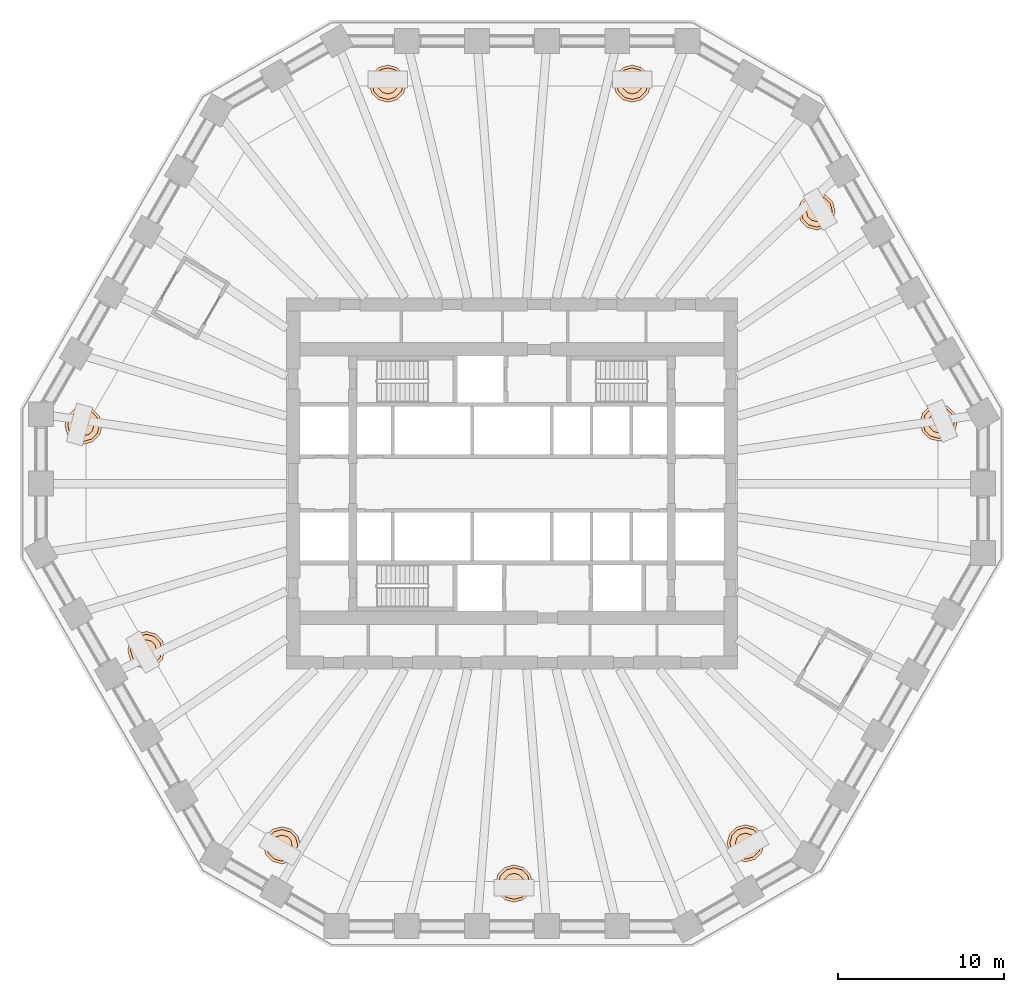
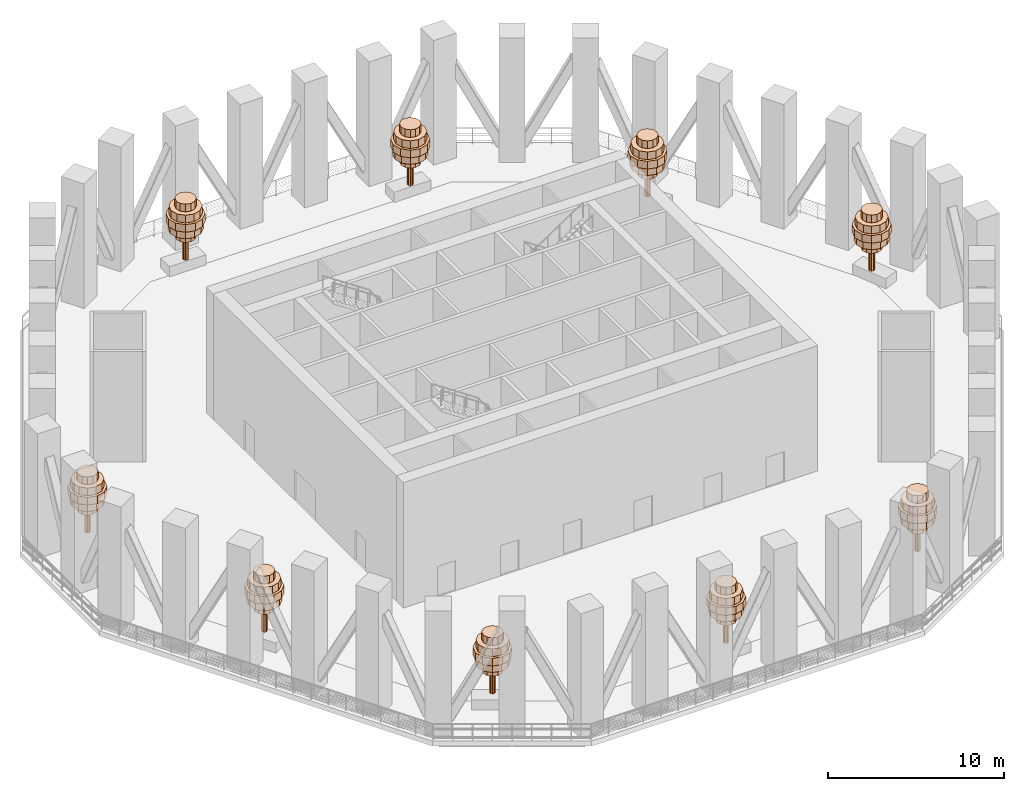
# One storey, part 10 of 10: 9 geographic elements.
"""IFC4 building model written with IfcOpenShell, lengths in metres."""

from ifc_helpers import new_model, si_unit, direction, frame, origin, place, context, subcontext, project, spatial, polyline, outline, extrude, material, type_object, element, save


model = new_model("IFC4")

# Units and contexts
model_context = context("Model", 3, precision=1e-05, world=origin(), true_north=direction((0.0, 1.0)))
body_context = subcontext(model_context, "Body", "Model", "MODEL_VIEW")
ifc_project = project(units=[si_unit("LENGTHUNIT", "METRE"), si_unit("AREAUNIT", "SQUARE_METRE"), si_unit("VOLUMEUNIT", "CUBIC_METRE"), si_unit("PLANEANGLEUNIT", "RADIAN"), si_unit("MASSUNIT", "GRAM", prefix="KILO")], contexts=[model_context])

# Site, building, storey
site_placement = place(None, origin())
site = spatial("IfcSite", under=ifc_project, at=site_placement, CompositionType="ELEMENT")
building_placement = place(site_placement, origin())
building = spatial("IfcBuilding", under=site, at=building_placement, Name="Frailejon Research Tower", CompositionType="ELEMENT")
storey_placement = place(building_placement, frame((0.0, 0.0, 71.800048828125)))
storey = spatial("IfcBuildingStorey", under=building, at=storey_placement, Name="L16", CompositionType="ELEMENT", Elevation=71.800048828125)

# Geographic elements
ifc_material = material(Name="Foliage, green")
geographic_element_type = type_object("IfcGeographicElementType", Name="Frailejon tree, terrace", PredefinedType="USERDEFINED", material=ifc_material)
geographic_element_1_placement = place(storey_placement, frame((25.73828125, 3.682373046875, 0.699951171875)))
element("IfcGeographicElement", 1, at=geographic_element_1_placement, inside=storey, type_object=geographic_element_type, Name="Tree L16", ObjectType="TREE", PredefinedType="USERDEFINED", context=body_context, shape_type="SweptSolid", body=[
    extrude(outline(polyline([(0.177978515625, 0.0), (0.154052734375, 0.089111328125), (0.089111328125, 0.154052734375), (0.0, 0.177978515625), (-0.089111328125, 0.154052734375), (-0.154052734375, 0.089111328125), (-0.177978515625, 0.0), (-0.154052734375, -0.089111328125), (-0.089111328125, -0.154052734375), (0.0, -0.177978515625), (0.089111328125, -0.154052734375), (0.154052734375, -0.089111328125), (0.177978515625, 0.0)])), origin(), (0.0, 0.0, 1.0), 3.135986328125),
    extrude(outline(polyline([(0.615966796875, 0.0), (0.533447265625, 0.30810546875), (0.30810546875, 0.533447265625), (0.0, 0.615966796875), (-0.30810546875, 0.533447265625), (-0.533447265625, 0.30810546875), (-0.615966796875, 0.0), (-0.533447265625, -0.30810546875), (-0.30810546875, -0.533447265625), (0.0, -0.615966796875), (0.30810546875, -0.533447265625), (0.533447265625, -0.30810546875), (0.615966796875, 0.0)])), frame((0.0, 0.0, 1.5400390625)), (0.0, 0.0, 1.0), 0.531982421875),
    extrude(outline(polyline([(1.008056640625, 0.0), (0.873046875, 0.50390625), (0.50390625, 0.873046875), (0.0, 1.008056640625), (-0.50390625, 0.873046875), (-0.873046875, 0.50390625), (-1.008056640625, 0.0), (-0.873046875, -0.50390625), (-0.50390625, -0.873046875), (0.0, -1.008056640625), (0.50390625, -0.873046875), (0.873046875, -0.50390625), (1.008056640625, 0.0)])), frame((0.0, 0.0, 2.072021484375)), (0.0, 0.0, 1.0), 0.531982421875),
    extrude(outline(polyline([(1.1201171875, 0.0), (0.969970703125, 0.56005859375), (0.56005859375, 0.969970703125), (0.0, 1.1201171875), (-0.56005859375, 0.969970703125), (-0.969970703125, 0.56005859375), (-1.1201171875, 0.0), (-0.969970703125, -0.56005859375), (-0.56005859375, -0.969970703125), (0.0, -1.1201171875), (0.56005859375, -0.969970703125), (0.969970703125, -0.56005859375), (1.1201171875, 0.0)])), frame((0.0, 0.0, 2.60400390625)), (0.0, 0.0, 1.0), 0.531982421875),
    extrude(outline(polyline([(0.951904296875, 0.0), (0.824462890625, 0.47607421875), (0.47607421875, 0.824462890625), (0.0, 0.951904296875), (-0.47607421875, 0.824462890625), (-0.824462890625, 0.47607421875), (-0.951904296875, 0.0), (-0.824462890625, -0.47607421875), (-0.47607421875, -0.824462890625), (0.0, -0.951904296875), (0.47607421875, -0.824462890625), (0.824462890625, -0.47607421875), (0.951904296875, 0.0)])), frame((0.0, 0.0, 3.135986328125)), (0.0, 0.0, 1.0), 0.531982421875),
    extrude(outline(polyline([(0.615966796875, 0.0), (0.533447265625, 0.30810546875), (0.30810546875, 0.533447265625), (0.0, 0.615966796875), (-0.30810546875, 0.533447265625), (-0.533447265625, 0.30810546875), (-0.615966796875, 0.0), (-0.533447265625, -0.30810546875), (-0.30810546875, -0.533447265625), (0.0, -0.615966796875), (0.30810546875, -0.533447265625), (0.533447265625, -0.30810546875), (0.615966796875, 0.0)])), frame((0.0, 0.0, 3.66796875)), (0.0, 0.0, 1.0), 0.531982421875),
])
geographic_element_2_placement = place(storey_placement, frame((18.37646484375, 16.4296875, 0.699951171875)))
element("IfcGeographicElement", 2, at=geographic_element_2_placement, inside=storey, type_object=geographic_element_type, Name="Tree L16", ObjectType="TREE", PredefinedType="USERDEFINED", context=body_context, shape_type="SweptSolid", body=[
    extrude(outline(polyline([(0.177978515625, 0.0), (0.154052734375, 0.089111328125), (0.089111328125, 0.154052734375), (0.0, 0.177978515625), (-0.089111328125, 0.154052734375), (-0.154052734375, 0.089111328125), (-0.177978515625, 0.0), (-0.154052734375, -0.089111328125), (-0.089111328125, -0.154052734375), (0.0, -0.177978515625), (0.089111328125, -0.154052734375), (0.154052734375, -0.089111328125), (0.177978515625, 0.0)])), origin(), (0.0, 0.0, 1.0), 3.135986328125),
    extrude(outline(polyline([(0.615966796875, 0.0), (0.533447265625, 0.30810546875), (0.30810546875, 0.533447265625), (0.0, 0.615966796875), (-0.30810546875, 0.533447265625), (-0.533447265625, 0.30810546875), (-0.615966796875, 0.0), (-0.533447265625, -0.30810546875), (-0.30810546875, -0.533447265625), (0.0, -0.615966796875), (0.30810546875, -0.533447265625), (0.533447265625, -0.30810546875), (0.615966796875, 0.0)])), frame((0.0, 0.0, 1.5400390625)), (0.0, 0.0, 1.0), 0.531982421875),
    extrude(outline(polyline([(1.008056640625, 0.0), (0.873046875, 0.50390625), (0.50390625, 0.873046875), (0.0, 1.008056640625), (-0.50390625, 0.873046875), (-0.873046875, 0.50390625), (-1.008056640625, 0.0), (-0.873046875, -0.50390625), (-0.50390625, -0.873046875), (0.0, -1.008056640625), (0.50390625, -0.873046875), (0.873046875, -0.50390625), (1.008056640625, 0.0)])), frame((0.0, 0.0, 2.072021484375)), (0.0, 0.0, 1.0), 0.531982421875),
    extrude(outline(polyline([(1.1201171875, 0.0), (0.969970703125, 0.56005859375), (0.56005859375, 0.969970703125), (0.0, 1.1201171875), (-0.56005859375, 0.969970703125), (-0.969970703125, 0.56005859375), (-1.1201171875, 0.0), (-0.969970703125, -0.56005859375), (-0.56005859375, -0.969970703125), (0.0, -1.1201171875), (0.56005859375, -0.969970703125), (0.969970703125, -0.56005859375), (1.1201171875, 0.0)])), frame((0.0, 0.0, 2.60400390625)), (0.0, 0.0, 1.0), 0.531982421875),
    extrude(outline(polyline([(0.951904296875, 0.0), (0.824462890625, 0.47607421875), (0.47607421875, 0.824462890625), (0.0, 0.951904296875), (-0.47607421875, 0.824462890625), (-0.824462890625, 0.47607421875), (-0.951904296875, 0.0), (-0.824462890625, -0.47607421875), (-0.47607421875, -0.824462890625), (0.0, -0.951904296875), (0.47607421875, -0.824462890625), (0.824462890625, -0.47607421875), (0.951904296875, 0.0)])), frame((0.0, 0.0, 3.135986328125)), (0.0, 0.0, 1.0), 0.531982421875),
    extrude(outline(polyline([(0.615966796875, 0.0), (0.533447265625, 0.30810546875), (0.30810546875, 0.533447265625), (0.0, 0.615966796875), (-0.30810546875, 0.533447265625), (-0.533447265625, 0.30810546875), (-0.615966796875, 0.0), (-0.533447265625, -0.30810546875), (-0.30810546875, -0.533447265625), (0.0, -0.615966796875), (0.30810546875, -0.533447265625), (0.533447265625, -0.30810546875), (0.615966796875, 0.0)])), frame((0.0, 0.0, 3.66796875)), (0.0, 0.0, 1.0), 0.531982421875),
])
geographic_element_3_placement = place(storey_placement, frame((7.25390625, 24.129150390625, 0.699951171875)))
element("IfcGeographicElement", 3, at=geographic_element_3_placement, inside=storey, type_object=geographic_element_type, Name="Tree L16", ObjectType="TREE", PredefinedType="USERDEFINED", context=body_context, shape_type="SweptSolid", body=[
    extrude(outline(polyline([(0.177978515625, 0.0), (0.154052734375, 0.089111328125), (0.089111328125, 0.154052734375), (0.0, 0.177978515625), (-0.089111328125, 0.154052734375), (-0.154052734375, 0.089111328125), (-0.177978515625, 0.0), (-0.154052734375, -0.089111328125), (-0.089111328125, -0.154052734375), (0.0, -0.177978515625), (0.089111328125, -0.154052734375), (0.154052734375, -0.089111328125), (0.177978515625, 0.0)])), origin(), (0.0, 0.0, 1.0), 3.135986328125),
    extrude(outline(polyline([(0.615966796875, 0.0), (0.533447265625, 0.30810546875), (0.30810546875, 0.533447265625), (0.0, 0.615966796875), (-0.30810546875, 0.533447265625), (-0.533447265625, 0.30810546875), (-0.615966796875, 0.0), (-0.533447265625, -0.30810546875), (-0.30810546875, -0.533447265625), (0.0, -0.615966796875), (0.30810546875, -0.533447265625), (0.533447265625, -0.30810546875), (0.615966796875, 0.0)])), frame((0.0, 0.0, 1.5400390625)), (0.0, 0.0, 1.0), 0.531982421875),
    extrude(outline(polyline([(1.008056640625, 0.0), (0.873046875, 0.50390625), (0.50390625, 0.873046875), (0.0, 1.008056640625), (-0.50390625, 0.873046875), (-0.873046875, 0.50390625), (-1.008056640625, 0.0), (-0.873046875, -0.50390625), (-0.50390625, -0.873046875), (0.0, -1.008056640625), (0.50390625, -0.873046875), (0.873046875, -0.50390625), (1.008056640625, 0.0)])), frame((0.0, 0.0, 2.072021484375)), (0.0, 0.0, 1.0), 0.531982421875),
    extrude(outline(polyline([(1.1201171875, 0.0), (0.969970703125, 0.56005859375), (0.56005859375, 0.969970703125), (0.0, 1.1201171875), (-0.56005859375, 0.969970703125), (-0.969970703125, 0.56005859375), (-1.1201171875, 0.0), (-0.969970703125, -0.56005859375), (-0.56005859375, -0.969970703125), (0.0, -1.1201171875), (0.56005859375, -0.969970703125), (0.969970703125, -0.56005859375), (1.1201171875, 0.0)])), frame((0.0, 0.0, 2.60400390625)), (0.0, 0.0, 1.0), 0.531982421875),
    extrude(outline(polyline([(0.951904296875, 0.0), (0.824462890625, 0.47607421875), (0.47607421875, 0.824462890625), (0.0, 0.951904296875), (-0.47607421875, 0.824462890625), (-0.824462890625, 0.47607421875), (-0.951904296875, 0.0), (-0.824462890625, -0.47607421875), (-0.47607421875, -0.824462890625), (0.0, -0.951904296875), (0.47607421875, -0.824462890625), (0.824462890625, -0.47607421875), (0.951904296875, 0.0)])), frame((0.0, 0.0, 3.135986328125)), (0.0, 0.0, 1.0), 0.531982421875),
    extrude(outline(polyline([(0.615966796875, 0.0), (0.533447265625, 0.30810546875), (0.30810546875, 0.533447265625), (0.0, 0.615966796875), (-0.30810546875, 0.533447265625), (-0.533447265625, 0.30810546875), (-0.615966796875, 0.0), (-0.533447265625, -0.30810546875), (-0.30810546875, -0.533447265625), (0.0, -0.615966796875), (0.30810546875, -0.533447265625), (0.533447265625, -0.30810546875), (0.615966796875, 0.0)])), frame((0.0, 0.0, 3.66796875)), (0.0, 0.0, 1.0), 0.531982421875),
])
geographic_element_4_placement = place(storey_placement, frame((-7.499267578125, 24.129150390625, 0.699951171875)))
element("IfcGeographicElement", 4, at=geographic_element_4_placement, inside=storey, type_object=geographic_element_type, Name="Tree L16", ObjectType="TREE", PredefinedType="USERDEFINED", context=body_context, shape_type="SweptSolid", body=[
    extrude(outline(polyline([(0.177978515625, 0.0), (0.154052734375, 0.089111328125), (0.089111328125, 0.154052734375), (0.0, 0.177978515625), (-0.089111328125, 0.154052734375), (-0.154052734375, 0.089111328125), (-0.177978515625, 0.0), (-0.154052734375, -0.089111328125), (-0.089111328125, -0.154052734375), (0.0, -0.177978515625), (0.089111328125, -0.154052734375), (0.154052734375, -0.089111328125), (0.177978515625, 0.0)])), origin(), (0.0, 0.0, 1.0), 3.135986328125),
    extrude(outline(polyline([(0.615966796875, 0.0), (0.533447265625, 0.30810546875), (0.30810546875, 0.533447265625), (0.0, 0.615966796875), (-0.30810546875, 0.533447265625), (-0.533447265625, 0.30810546875), (-0.615966796875, 0.0), (-0.533447265625, -0.30810546875), (-0.30810546875, -0.533447265625), (0.0, -0.615966796875), (0.30810546875, -0.533447265625), (0.533447265625, -0.30810546875), (0.615966796875, 0.0)])), frame((0.0, 0.0, 1.5400390625)), (0.0, 0.0, 1.0), 0.531982421875),
    extrude(outline(polyline([(1.008056640625, 0.0), (0.873046875, 0.50390625), (0.50390625, 0.873046875), (0.0, 1.008056640625), (-0.50390625, 0.873046875), (-0.873046875, 0.50390625), (-1.008056640625, 0.0), (-0.873046875, -0.50390625), (-0.50390625, -0.873046875), (0.0, -1.008056640625), (0.50390625, -0.873046875), (0.873046875, -0.50390625), (1.008056640625, 0.0)])), frame((0.0, 0.0, 2.072021484375)), (0.0, 0.0, 1.0), 0.531982421875),
    extrude(outline(polyline([(1.1201171875, 0.0), (0.969970703125, 0.56005859375), (0.56005859375, 0.969970703125), (0.0, 1.1201171875), (-0.56005859375, 0.969970703125), (-0.969970703125, 0.56005859375), (-1.1201171875, 0.0), (-0.969970703125, -0.56005859375), (-0.56005859375, -0.969970703125), (0.0, -1.1201171875), (0.56005859375, -0.969970703125), (0.969970703125, -0.56005859375), (1.1201171875, 0.0)])), frame((0.0, 0.0, 2.60400390625)), (0.0, 0.0, 1.0), 0.531982421875),
    extrude(outline(polyline([(0.951904296875, 0.0), (0.824462890625, 0.47607421875), (0.47607421875, 0.824462890625), (0.0, 0.951904296875), (-0.47607421875, 0.824462890625), (-0.824462890625, 0.47607421875), (-0.951904296875, 0.0), (-0.824462890625, -0.47607421875), (-0.47607421875, -0.824462890625), (0.0, -0.951904296875), (0.47607421875, -0.824462890625), (0.824462890625, -0.47607421875), (0.951904296875, 0.0)])), frame((0.0, 0.0, 3.135986328125)), (0.0, 0.0, 1.0), 0.531982421875),
    extrude(outline(polyline([(0.615966796875, 0.0), (0.533447265625, 0.30810546875), (0.30810546875, 0.533447265625), (0.0, 0.615966796875), (-0.30810546875, 0.533447265625), (-0.533447265625, 0.30810546875), (-0.615966796875, 0.0), (-0.533447265625, -0.30810546875), (-0.30810546875, -0.533447265625), (0.0, -0.615966796875), (0.30810546875, -0.533447265625), (0.533447265625, -0.30810546875), (0.615966796875, 0.0)])), frame((0.0, 0.0, 3.66796875)), (0.0, 0.0, 1.0), 0.531982421875),
])
geographic_element_5_placement = place(storey_placement, frame((-25.8505859375, 3.5009765625, 0.699951171875)))
element("IfcGeographicElement", 5, at=geographic_element_5_placement, inside=storey, type_object=geographic_element_type, Name="Tree L16", ObjectType="TREE", PredefinedType="USERDEFINED", context=body_context, shape_type="SweptSolid", body=[
    extrude(outline(polyline([(0.177978515625, 0.0), (0.154052734375, 0.089111328125), (0.089111328125, 0.154052734375), (0.0, 0.177978515625), (-0.089111328125, 0.154052734375), (-0.154052734375, 0.089111328125), (-0.177978515625, 0.0), (-0.154052734375, -0.089111328125), (-0.089111328125, -0.154052734375), (0.0, -0.177978515625), (0.089111328125, -0.154052734375), (0.154052734375, -0.089111328125), (0.177978515625, 0.0)])), origin(), (0.0, 0.0, 1.0), 3.135986328125),
    extrude(outline(polyline([(0.615966796875, 0.0), (0.533447265625, 0.30810546875), (0.30810546875, 0.533447265625), (0.0, 0.615966796875), (-0.30810546875, 0.533447265625), (-0.533447265625, 0.30810546875), (-0.615966796875, 0.0), (-0.533447265625, -0.30810546875), (-0.30810546875, -0.533447265625), (0.0, -0.615966796875), (0.30810546875, -0.533447265625), (0.533447265625, -0.30810546875), (0.615966796875, 0.0)])), frame((0.0, 0.0, 1.5400390625)), (0.0, 0.0, 1.0), 0.531982421875),
    extrude(outline(polyline([(1.008056640625, 0.0), (0.873046875, 0.50390625), (0.50390625, 0.873046875), (0.0, 1.008056640625), (-0.50390625, 0.873046875), (-0.873046875, 0.50390625), (-1.008056640625, 0.0), (-0.873046875, -0.50390625), (-0.50390625, -0.873046875), (0.0, -1.008056640625), (0.50390625, -0.873046875), (0.873046875, -0.50390625), (1.008056640625, 0.0)])), frame((0.0, 0.0, 2.072021484375)), (0.0, 0.0, 1.0), 0.531982421875),
    extrude(outline(polyline([(1.1201171875, 0.0), (0.969970703125, 0.56005859375), (0.56005859375, 0.969970703125), (0.0, 1.1201171875), (-0.56005859375, 0.969970703125), (-0.969970703125, 0.56005859375), (-1.1201171875, 0.0), (-0.969970703125, -0.56005859375), (-0.56005859375, -0.969970703125), (0.0, -1.1201171875), (0.56005859375, -0.969970703125), (0.969970703125, -0.56005859375), (1.1201171875, 0.0)])), frame((0.0, 0.0, 2.60400390625)), (0.0, 0.0, 1.0), 0.531982421875),
    extrude(outline(polyline([(0.951904296875, 0.0), (0.824462890625, 0.47607421875), (0.47607421875, 0.824462890625), (0.0, 0.951904296875), (-0.47607421875, 0.824462890625), (-0.824462890625, 0.47607421875), (-0.951904296875, 0.0), (-0.824462890625, -0.47607421875), (-0.47607421875, -0.824462890625), (0.0, -0.951904296875), (0.47607421875, -0.824462890625), (0.824462890625, -0.47607421875), (0.951904296875, 0.0)])), frame((0.0, 0.0, 3.135986328125)), (0.0, 0.0, 1.0), 0.531982421875),
    extrude(outline(polyline([(0.615966796875, 0.0), (0.533447265625, 0.30810546875), (0.30810546875, 0.533447265625), (0.0, 0.615966796875), (-0.30810546875, 0.533447265625), (-0.533447265625, 0.30810546875), (-0.615966796875, 0.0), (-0.533447265625, -0.30810546875), (-0.30810546875, -0.533447265625), (0.0, -0.615966796875), (0.30810546875, -0.533447265625), (0.533447265625, -0.30810546875), (0.615966796875, 0.0)])), frame((0.0, 0.0, 3.66796875)), (0.0, 0.0, 1.0), 0.531982421875),
])
geographic_element_6_placement = place(storey_placement, frame((-22.064697265625, -10.041259765625, 0.699951171875)))
element("IfcGeographicElement", 6, at=geographic_element_6_placement, inside=storey, type_object=geographic_element_type, Name="Tree L16", ObjectType="TREE", PredefinedType="USERDEFINED", context=body_context, shape_type="SweptSolid", body=[
    extrude(outline(polyline([(0.177978515625, 0.0), (0.154052734375, 0.089111328125), (0.089111328125, 0.154052734375), (0.0, 0.177978515625), (-0.089111328125, 0.154052734375), (-0.154052734375, 0.089111328125), (-0.177978515625, 0.0), (-0.154052734375, -0.089111328125), (-0.089111328125, -0.154052734375), (0.0, -0.177978515625), (0.089111328125, -0.154052734375), (0.154052734375, -0.089111328125), (0.177978515625, 0.0)])), origin(), (0.0, 0.0, 1.0), 3.135986328125),
    extrude(outline(polyline([(0.615966796875, 0.0), (0.533447265625, 0.30810546875), (0.30810546875, 0.533447265625), (0.0, 0.615966796875), (-0.30810546875, 0.533447265625), (-0.533447265625, 0.30810546875), (-0.615966796875, 0.0), (-0.533447265625, -0.30810546875), (-0.30810546875, -0.533447265625), (0.0, -0.615966796875), (0.30810546875, -0.533447265625), (0.533447265625, -0.30810546875), (0.615966796875, 0.0)])), frame((0.0, 0.0, 1.5400390625)), (0.0, 0.0, 1.0), 0.531982421875),
    extrude(outline(polyline([(1.008056640625, 0.0), (0.873046875, 0.50390625), (0.50390625, 0.873046875), (0.0, 1.008056640625), (-0.50390625, 0.873046875), (-0.873046875, 0.50390625), (-1.008056640625, 0.0), (-0.873046875, -0.50390625), (-0.50390625, -0.873046875), (0.0, -1.008056640625), (0.50390625, -0.873046875), (0.873046875, -0.50390625), (1.008056640625, 0.0)])), frame((0.0, 0.0, 2.072021484375)), (0.0, 0.0, 1.0), 0.531982421875),
    extrude(outline(polyline([(1.1201171875, 0.0), (0.969970703125, 0.56005859375), (0.56005859375, 0.969970703125), (0.0, 1.1201171875), (-0.56005859375, 0.969970703125), (-0.969970703125, 0.56005859375), (-1.1201171875, 0.0), (-0.969970703125, -0.56005859375), (-0.56005859375, -0.969970703125), (0.0, -1.1201171875), (0.56005859375, -0.969970703125), (0.969970703125, -0.56005859375), (1.1201171875, 0.0)])), frame((0.0, 0.0, 2.60400390625)), (0.0, 0.0, 1.0), 0.531982421875),
    extrude(outline(polyline([(0.951904296875, 0.0), (0.824462890625, 0.47607421875), (0.47607421875, 0.824462890625), (0.0, 0.951904296875), (-0.47607421875, 0.824462890625), (-0.824462890625, 0.47607421875), (-0.951904296875, 0.0), (-0.824462890625, -0.47607421875), (-0.47607421875, -0.824462890625), (0.0, -0.951904296875), (0.47607421875, -0.824462890625), (0.824462890625, -0.47607421875), (0.951904296875, 0.0)])), frame((0.0, 0.0, 3.135986328125)), (0.0, 0.0, 1.0), 0.531982421875),
    extrude(outline(polyline([(0.615966796875, 0.0), (0.533447265625, 0.30810546875), (0.30810546875, 0.533447265625), (0.0, 0.615966796875), (-0.30810546875, 0.533447265625), (-0.533447265625, 0.30810546875), (-0.615966796875, 0.0), (-0.533447265625, -0.30810546875), (-0.30810546875, -0.533447265625), (0.0, -0.615966796875), (0.30810546875, -0.533447265625), (0.533447265625, -0.30810546875), (0.615966796875, 0.0)])), frame((0.0, 0.0, 3.66796875)), (0.0, 0.0, 1.0), 0.531982421875),
])
geographic_element_7_placement = place(storey_placement, frame((-13.879638671875, -21.826416015625, 0.699951171875)))
element("IfcGeographicElement", 7, at=geographic_element_7_placement, inside=storey, type_object=geographic_element_type, Name="Tree L16", ObjectType="TREE", PredefinedType="USERDEFINED", context=body_context, shape_type="SweptSolid", body=[
    extrude(outline(polyline([(0.177978515625, 0.0), (0.154052734375, 0.089111328125), (0.089111328125, 0.154052734375), (0.0, 0.177978515625), (-0.089111328125, 0.154052734375), (-0.154052734375, 0.089111328125), (-0.177978515625, 0.0), (-0.154052734375, -0.089111328125), (-0.089111328125, -0.154052734375), (0.0, -0.177978515625), (0.089111328125, -0.154052734375), (0.154052734375, -0.089111328125), (0.177978515625, 0.0)])), origin(), (0.0, 0.0, 1.0), 3.135986328125),
    extrude(outline(polyline([(0.615966796875, 0.0), (0.533447265625, 0.30810546875), (0.30810546875, 0.533447265625), (0.0, 0.615966796875), (-0.30810546875, 0.533447265625), (-0.533447265625, 0.30810546875), (-0.615966796875, 0.0), (-0.533447265625, -0.30810546875), (-0.30810546875, -0.533447265625), (0.0, -0.615966796875), (0.30810546875, -0.533447265625), (0.533447265625, -0.30810546875), (0.615966796875, 0.0)])), frame((0.0, 0.0, 1.5400390625)), (0.0, 0.0, 1.0), 0.531982421875),
    extrude(outline(polyline([(1.008056640625, 0.0), (0.873046875, 0.50390625), (0.50390625, 0.873046875), (0.0, 1.008056640625), (-0.50390625, 0.873046875), (-0.873046875, 0.50390625), (-1.008056640625, 0.0), (-0.873046875, -0.50390625), (-0.50390625, -0.873046875), (0.0, -1.008056640625), (0.50390625, -0.873046875), (0.873046875, -0.50390625), (1.008056640625, 0.0)])), frame((0.0, 0.0, 2.072021484375)), (0.0, 0.0, 1.0), 0.531982421875),
    extrude(outline(polyline([(1.1201171875, 0.0), (0.969970703125, 0.56005859375), (0.56005859375, 0.969970703125), (0.0, 1.1201171875), (-0.56005859375, 0.969970703125), (-0.969970703125, 0.56005859375), (-1.1201171875, 0.0), (-0.969970703125, -0.56005859375), (-0.56005859375, -0.969970703125), (0.0, -1.1201171875), (0.56005859375, -0.969970703125), (0.969970703125, -0.56005859375), (1.1201171875, 0.0)])), frame((0.0, 0.0, 2.60400390625)), (0.0, 0.0, 1.0), 0.531982421875),
    extrude(outline(polyline([(0.951904296875, 0.0), (0.824462890625, 0.47607421875), (0.47607421875, 0.824462890625), (0.0, 0.951904296875), (-0.47607421875, 0.824462890625), (-0.824462890625, 0.47607421875), (-0.951904296875, 0.0), (-0.824462890625, -0.47607421875), (-0.47607421875, -0.824462890625), (0.0, -0.951904296875), (0.47607421875, -0.824462890625), (0.824462890625, -0.47607421875), (0.951904296875, 0.0)])), frame((0.0, 0.0, 3.135986328125)), (0.0, 0.0, 1.0), 0.531982421875),
    extrude(outline(polyline([(0.615966796875, 0.0), (0.533447265625, 0.30810546875), (0.30810546875, 0.533447265625), (0.0, 0.615966796875), (-0.30810546875, 0.533447265625), (-0.533447265625, 0.30810546875), (-0.615966796875, 0.0), (-0.533447265625, -0.30810546875), (-0.30810546875, -0.533447265625), (0.0, -0.615966796875), (0.30810546875, -0.533447265625), (0.533447265625, -0.30810546875), (0.615966796875, 0.0)])), frame((0.0, 0.0, 3.66796875)), (0.0, 0.0, 1.0), 0.531982421875),
])
geographic_element_8_placement = place(storey_placement, frame((0.12255859375, -24.129150390625, 0.699951171875)))
element("IfcGeographicElement", 8, at=geographic_element_8_placement, inside=storey, type_object=geographic_element_type, Name="Tree L16", ObjectType="TREE", PredefinedType="USERDEFINED", context=body_context, shape_type="SweptSolid", body=[
    extrude(outline(polyline([(0.177978515625, 0.0), (0.154052734375, 0.089111328125), (0.089111328125, 0.154052734375), (0.0, 0.177978515625), (-0.089111328125, 0.154052734375), (-0.154052734375, 0.089111328125), (-0.177978515625, 0.0), (-0.154052734375, -0.089111328125), (-0.089111328125, -0.154052734375), (0.0, -0.177978515625), (0.089111328125, -0.154052734375), (0.154052734375, -0.089111328125), (0.177978515625, 0.0)])), origin(), (0.0, 0.0, 1.0), 3.135986328125),
    extrude(outline(polyline([(0.615966796875, 0.0), (0.533447265625, 0.30810546875), (0.30810546875, 0.533447265625), (0.0, 0.615966796875), (-0.30810546875, 0.533447265625), (-0.533447265625, 0.30810546875), (-0.615966796875, 0.0), (-0.533447265625, -0.30810546875), (-0.30810546875, -0.533447265625), (0.0, -0.615966796875), (0.30810546875, -0.533447265625), (0.533447265625, -0.30810546875), (0.615966796875, 0.0)])), frame((0.0, 0.0, 1.5400390625)), (0.0, 0.0, 1.0), 0.531982421875),
    extrude(outline(polyline([(1.008056640625, 0.0), (0.873046875, 0.50390625), (0.50390625, 0.873046875), (0.0, 1.008056640625), (-0.50390625, 0.873046875), (-0.873046875, 0.50390625), (-1.008056640625, 0.0), (-0.873046875, -0.50390625), (-0.50390625, -0.873046875), (0.0, -1.008056640625), (0.50390625, -0.873046875), (0.873046875, -0.50390625), (1.008056640625, 0.0)])), frame((0.0, 0.0, 2.072021484375)), (0.0, 0.0, 1.0), 0.531982421875),
    extrude(outline(polyline([(1.1201171875, 0.0), (0.969970703125, 0.56005859375), (0.56005859375, 0.969970703125), (0.0, 1.1201171875), (-0.56005859375, 0.969970703125), (-0.969970703125, 0.56005859375), (-1.1201171875, 0.0), (-0.969970703125, -0.56005859375), (-0.56005859375, -0.969970703125), (0.0, -1.1201171875), (0.56005859375, -0.969970703125), (0.969970703125, -0.56005859375), (1.1201171875, 0.0)])), frame((0.0, 0.0, 2.60400390625)), (0.0, 0.0, 1.0), 0.531982421875),
    extrude(outline(polyline([(0.951904296875, 0.0), (0.824462890625, 0.47607421875), (0.47607421875, 0.824462890625), (0.0, 0.951904296875), (-0.47607421875, 0.824462890625), (-0.824462890625, 0.47607421875), (-0.951904296875, 0.0), (-0.824462890625, -0.47607421875), (-0.47607421875, -0.824462890625), (0.0, -0.951904296875), (0.47607421875, -0.824462890625), (0.824462890625, -0.47607421875), (0.951904296875, 0.0)])), frame((0.0, 0.0, 3.135986328125)), (0.0, 0.0, 1.0), 0.531982421875),
    extrude(outline(polyline([(0.615966796875, 0.0), (0.533447265625, 0.30810546875), (0.30810546875, 0.533447265625), (0.0, 0.615966796875), (-0.30810546875, 0.533447265625), (-0.533447265625, 0.30810546875), (-0.615966796875, 0.0), (-0.533447265625, -0.30810546875), (-0.30810546875, -0.533447265625), (0.0, -0.615966796875), (0.30810546875, -0.533447265625), (0.533447265625, -0.30810546875), (0.615966796875, 0.0)])), frame((0.0, 0.0, 3.66796875)), (0.0, 0.0, 1.0), 0.531982421875),
])
geographic_element_9_placement = place(storey_placement, frame((14.091796875, -21.703857421875, 0.699951171875)))
element("IfcGeographicElement", 9, at=geographic_element_9_placement, inside=storey, type_object=geographic_element_type, Name="Tree L16", ObjectType="TREE", PredefinedType="USERDEFINED", context=body_context, shape_type="SweptSolid", body=[
    extrude(outline(polyline([(0.177978515625, 0.0), (0.154052734375, 0.089111328125), (0.089111328125, 0.154052734375), (0.0, 0.177978515625), (-0.089111328125, 0.154052734375), (-0.154052734375, 0.089111328125), (-0.177978515625, 0.0), (-0.154052734375, -0.089111328125), (-0.089111328125, -0.154052734375), (0.0, -0.177978515625), (0.089111328125, -0.154052734375), (0.154052734375, -0.089111328125), (0.177978515625, 0.0)])), origin(), (0.0, 0.0, 1.0), 3.135986328125),
    extrude(outline(polyline([(0.615966796875, 0.0), (0.533447265625, 0.30810546875), (0.30810546875, 0.533447265625), (0.0, 0.615966796875), (-0.30810546875, 0.533447265625), (-0.533447265625, 0.30810546875), (-0.615966796875, 0.0), (-0.533447265625, -0.30810546875), (-0.30810546875, -0.533447265625), (0.0, -0.615966796875), (0.30810546875, -0.533447265625), (0.533447265625, -0.30810546875), (0.615966796875, 0.0)])), frame((0.0, 0.0, 1.5400390625)), (0.0, 0.0, 1.0), 0.531982421875),
    extrude(outline(polyline([(1.008056640625, 0.0), (0.873046875, 0.50390625), (0.50390625, 0.873046875), (0.0, 1.008056640625), (-0.50390625, 0.873046875), (-0.873046875, 0.50390625), (-1.008056640625, 0.0), (-0.873046875, -0.50390625), (-0.50390625, -0.873046875), (0.0, -1.008056640625), (0.50390625, -0.873046875), (0.873046875, -0.50390625), (1.008056640625, 0.0)])), frame((0.0, 0.0, 2.072021484375)), (0.0, 0.0, 1.0), 0.531982421875),
    extrude(outline(polyline([(1.1201171875, 0.0), (0.969970703125, 0.56005859375), (0.56005859375, 0.969970703125), (0.0, 1.1201171875), (-0.56005859375, 0.969970703125), (-0.969970703125, 0.56005859375), (-1.1201171875, 0.0), (-0.969970703125, -0.56005859375), (-0.56005859375, -0.969970703125), (0.0, -1.1201171875), (0.56005859375, -0.969970703125), (0.969970703125, -0.56005859375), (1.1201171875, 0.0)])), frame((0.0, 0.0, 2.60400390625)), (0.0, 0.0, 1.0), 0.531982421875),
    extrude(outline(polyline([(0.951904296875, 0.0), (0.824462890625, 0.47607421875), (0.47607421875, 0.824462890625), (0.0, 0.951904296875), (-0.47607421875, 0.824462890625), (-0.824462890625, 0.47607421875), (-0.951904296875, 0.0), (-0.824462890625, -0.47607421875), (-0.47607421875, -0.824462890625), (0.0, -0.951904296875), (0.47607421875, -0.824462890625), (0.824462890625, -0.47607421875), (0.951904296875, 0.0)])), frame((0.0, 0.0, 3.135986328125)), (0.0, 0.0, 1.0), 0.531982421875),
    extrude(outline(polyline([(0.615966796875, 0.0), (0.533447265625, 0.30810546875), (0.30810546875, 0.533447265625), (0.0, 0.615966796875), (-0.30810546875, 0.533447265625), (-0.533447265625, 0.30810546875), (-0.615966796875, 0.0), (-0.533447265625, -0.30810546875), (-0.30810546875, -0.533447265625), (0.0, -0.615966796875), (0.30810546875, -0.533447265625), (0.533447265625, -0.30810546875), (0.615966796875, 0.0)])), frame((0.0, 0.0, 3.66796875)), (0.0, 0.0, 1.0), 0.531982421875),
])

save(model, "model.ifc")
